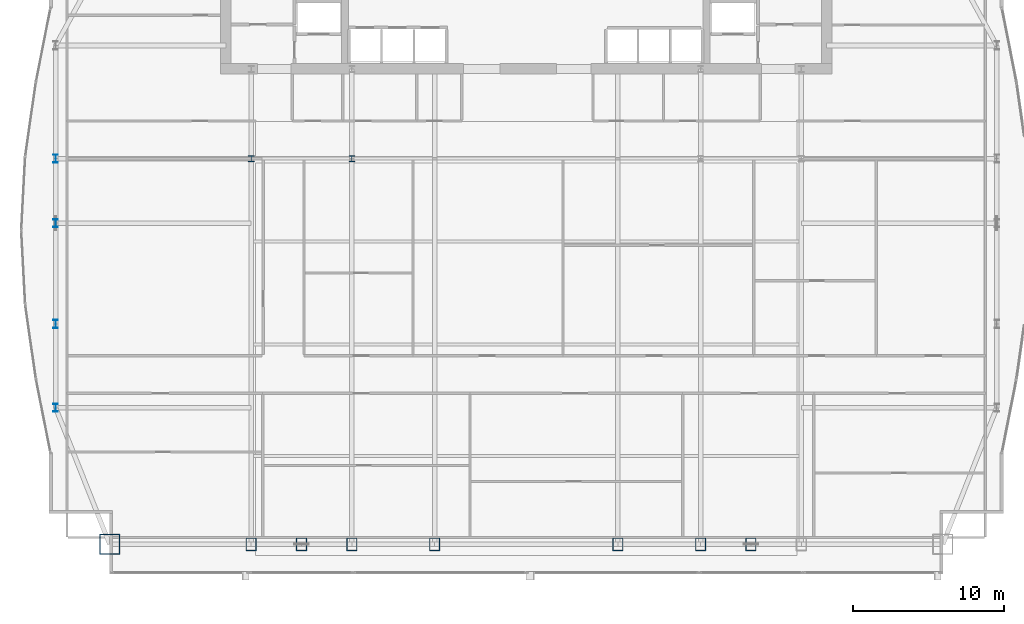
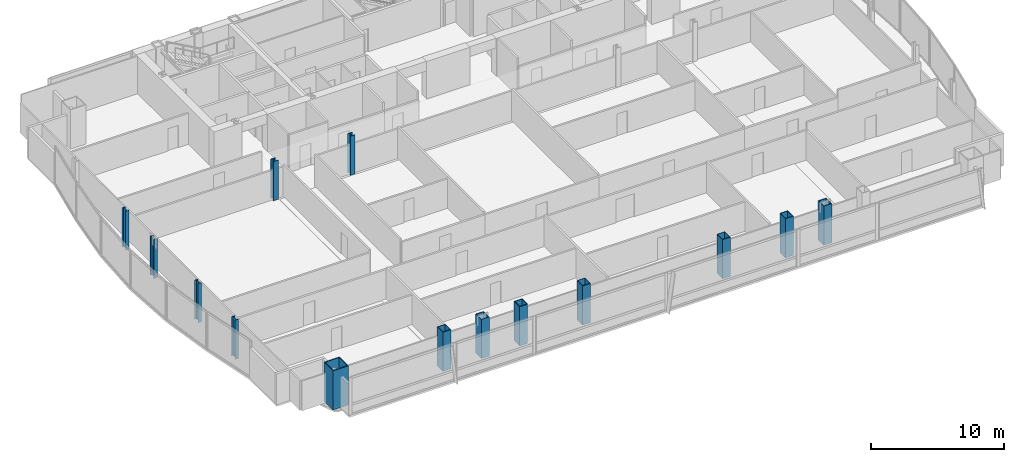
# One storey, part 1 of 29: 14 columns.
"""IFC4 building model written with IfcOpenShell, lengths in metres."""

import ifcopenshell
import ifcopenshell.guid

model = None  # the IFC model being written
_history = None  # IfcOwnerHistory: only IFC2X3 demands one
_inside = {}  # id of a spatial element -> (the spatial element, [elements in it])
_under = {}  # id of a project, library or spatial element -> (it, [spatial elements below it])
_declared = {}  # id of a project -> (the project, [libraries it declares])
_typed = {}  # id of a type object -> (the type object, [elements of that type])
_made_of = {}  # id of a material, layer set ... -> (it, [elements and type objects made of it])


def new_model(schema):
    """Start an empty IFC model of exactly this schema.

    Asked for "IFC4X3", IfcOpenShell would pick the latest addendum, in which some entities
    have other attributes; the version numbers below select the first issue.
    IFC2X3 requires an IfcOwnerHistory on every rooted entity: one is made here for all.
    """
    global model, _history
    if schema == "IFC4X3":
        model = ifcopenshell.file(schema_version=(4, 3, 0, 0))
    else:
        model = ifcopenshell.file(schema=schema)
    _inside.clear()
    _under.clear()
    _declared.clear()
    _typed.clear()
    _made_of.clear()
    _history = None
    if model.schema == "IFC2X3":
        org = make("IfcOrganization", Name="unknown")
        user = make(
            "IfcPersonAndOrganization",
            ThePerson=make("IfcPerson", FamilyName="unknown"),
            TheOrganization=org,
        )
        app = make(
            "IfcApplication",
            ApplicationDeveloper=org,
            Version="unknown",
            ApplicationFullName="unknown",
            ApplicationIdentifier="unknown",
        )
        _history = make(
            "IfcOwnerHistory",
            OwningUser=user,
            OwningApplication=app,
            ChangeAction="ADDED",
            CreationDate=0,
        )
    return model


def make(cls, **values):
    """One entity of the class cls with the attributes given. An attribute that is None is left unset."""
    return model.create_entity(
        cls, **{name: value for name, value in values.items() if value is not None}
    )


def rooted(cls, **values):
    """An entity with a GlobalId (a new one), such as an element, a storey or a relation."""
    return make(cls, GlobalId=ifcopenshell.guid.new(), OwnerHistory=_history, **values)


def si_unit(unit_type, name, prefix=None):
    """IfcSIUnit, for example si_unit("LENGTHUNIT", "METRE", prefix="MILLI")."""
    return make("IfcSIUnit", UnitType=unit_type, Prefix=prefix, Name=name)


def assignment(units):
    """IfcUnitAssignment: the units of a project."""
    return None if units is None else make("IfcUnitAssignment", Units=units)


def point(xyz):
    """IfcCartesianPoint."""
    return None if xyz is None else make("IfcCartesianPoint", Coordinates=xyz)


def direction(xyz):
    """IfcDirection."""
    return None if xyz is None else make("IfcDirection", DirectionRatios=xyz)


def frame(location, z_axis=None, x_axis=None):
    """IfcAxis2Placement3D, a coordinate frame: its origin and axes. An axis left out is left unset."""
    return make(
        "IfcAxis2Placement3D",
        Location=point(location),
        Axis=direction(z_axis),
        RefDirection=direction(x_axis),
    )


def frame_2d(location, x_axis=None):
    """IfcAxis2Placement2D, a coordinate frame in the plane: its origin and x axis."""
    return make(
        "IfcAxis2Placement2D", Location=point(location), RefDirection=direction(x_axis)
    )


def origin():
    """The frame at (0, 0, 0) with its axes left unset."""
    return frame((0.0, 0.0, 0.0))


def origin_2d():
    """The frame at (0, 0) in the plane with its x axis left unset."""
    return frame_2d((0.0, 0.0))


def place(relative_to, where):
    """IfcLocalPlacement: puts the frame where relative to a parent placement (None: the world)."""
    return make(
        "IfcLocalPlacement", PlacementRelTo=relative_to, RelativePlacement=where
    )


def context(
    kind, dimensions, precision=None, world=None, true_north=None, identifier=None
):
    """IfcGeometricRepresentationContext, for example the 3D "Model" context."""
    return make(
        "IfcGeometricRepresentationContext",
        ContextIdentifier=identifier,
        ContextType=kind,
        CoordinateSpaceDimension=dimensions,
        Precision=precision,
        WorldCoordinateSystem=world,
        TrueNorth=true_north,
    )


def subcontext(parent, identifier, kind, view, scale=None):
    """IfcGeometricRepresentationSubContext, for example "Body" below "Model"."""
    return make(
        "IfcGeometricRepresentationSubContext",
        ContextIdentifier=identifier,
        ContextType=kind,
        ParentContext=parent,
        TargetScale=scale,
        TargetView=view,
    )


def project(units=None, contexts=None):
    """IfcProject with its units and contexts."""
    return rooted(
        "IfcProject",
        Name="project",
        RepresentationContexts=contexts,
        UnitsInContext=assignment(units),
    )


def spatial(cls, under=None, at=None, **own):
    """A site, building, storey or space (cls), placed at a placement, below another one or the project."""
    s = rooted(cls, ObjectPlacement=at, **own)
    if under is not None:
        _under.setdefault(under.id(), (under, []))[1].append(s)
    return s


def profile(cls, at=None, kind="AREA", **sizes):
    """A parametric profile (cls). Its sizes go by their IFC names, for example OverallWidth=200.0."""
    return make(cls, ProfileType=kind, Position=at, **sizes)


def hollow_rectangle(**sizes):
    """IfcRectangleHollowProfileDef."""
    return profile("IfcRectangleHollowProfileDef", **sizes)


def i_section(**sizes):
    """IfcIShapeProfileDef."""
    return profile("IfcIShapeProfileDef", **sizes)


def extrude(swept, where, along, depth):
    """IfcExtrudedAreaSolid: the profile swept, set in the frame where, extruded along a direction by depth."""
    return make(
        "IfcExtrudedAreaSolid",
        SweptArea=swept,
        Position=where,
        ExtrudedDirection=direction(along),
        Depth=depth,
    )


def shape(context_of_items, identifier, shape_type, items):
    """IfcShapeRepresentation: the items that make up one representation, for example the "Body"."""
    return make(
        "IfcShapeRepresentation",
        ContextOfItems=context_of_items,
        RepresentationIdentifier=identifier,
        RepresentationType=shape_type,
        Items=items,
    )


def material(Name=None, Category=None):
    """IfcMaterial."""
    return make("IfcMaterial", Name=Name, Category=Category)


def material_profile(
    of_material, cross_section, Name=None, Category=None, Priority=None
):
    """IfcMaterialProfile: a cross section and its material."""
    return make(
        "IfcMaterialProfile",
        Name=Name,
        Material=of_material,
        Profile=cross_section,
        Priority=Priority,
        Category=Category,
    )


def profile_set(profiles, Name=None, composite=None):
    """IfcMaterialProfileSet."""
    return make(
        "IfcMaterialProfileSet",
        Name=Name,
        MaterialProfiles=profiles,
        CompositeProfile=composite,
    )


def made_of(thing, what):
    """Note that an element or type object is made of a material, layer set ...; save() writes the relation."""
    if what is not None:
        _made_of.setdefault(what.id(), (what, []))[1].append(thing)
    return thing


def type_object(cls, material=None, **own):
    """A type object (cls), such as IfcWallType, which elements share."""
    return made_of(rooted(cls, **own), material)


def element(
    cls,
    number,
    at=None,
    inside=None,
    cuts=None,
    type_object=None,
    material=None,
    context=None,
    identifier="Body",
    shape_type=None,
    held_by="IfcProductDefinitionShape",
    body=None,
    shapes=None,
    **own,
):
    """One element of the class cls, such as IfcWall. Its Tag is "e" and its number.

    at: its placement. inside: the storey or other place that contains it. cuts: it is an
    opening in that element (IfcRelVoidsElement). A single representation is given by context,
    identifier, shape_type and body (its items); several are given by shapes. held_by: the class
    of the entity that holds the representations. save() writes the other relations.
    """
    e = rooted(cls, Tag="e%d" % number, ObjectPlacement=at, **own)
    if body is not None:
        shapes = [shape(context, identifier, shape_type, body)]
    if shapes is not None:
        e.Representation = make(held_by, Representations=shapes)
    if inside is not None:
        _inside.setdefault(inside.id(), (inside, []))[1].append(e)
    if cuts is not None:
        rooted(
            "IfcRelVoidsElement", RelatingBuildingElement=cuts, RelatedOpeningElement=e
        )
    if type_object is not None:
        _typed.setdefault(type_object.id(), (type_object, []))[1].append(e)
    return made_of(e, material)


def aggregate(whole, parts):
    """IfcRelAggregates: a whole, such as a stair, and the parts it consists of."""
    return rooted("IfcRelAggregates", RelatingObject=whole, RelatedObjects=parts)


def save(model, path):
    """Write the relations noted so far, then the file.

    IfcRelAggregates (storeys below a building ...), IfcRelContainedInSpatialStructure (elements
    in a storey), IfcRelDefinesByType, IfcRelAssociatesMaterial and IfcRelDeclares: one each for
    every whole, place, type object, material and project.
    """
    for whole, parts in _under.values():
        aggregate(whole, parts)
    for where, things in _inside.values():
        rooted(
            "IfcRelContainedInSpatialStructure",
            RelatedElements=things,
            RelatingStructure=where,
        )
    for kind, things in _typed.values():
        rooted("IfcRelDefinesByType", RelatedObjects=things, RelatingType=kind)
    for what, things in _made_of.values():
        rooted("IfcRelAssociatesMaterial", RelatedObjects=things, RelatingMaterial=what)
    for by, libraries in _declared.values():
        rooted("IfcRelDeclares", RelatingContext=by, RelatedDefinitions=libraries)
    model.write(path)


model = new_model("IFC4")

# Units and contexts
model_context = context("Model", 3, precision=1e-05, world=origin(), true_north=direction((0.0, 1.0)))
body_context = subcontext(model_context, "Body", "Model", "MODEL_VIEW")
ifc_project = project(units=[si_unit("LENGTHUNIT", "METRE"), si_unit("AREAUNIT", "SQUARE_METRE"), si_unit("VOLUMEUNIT", "CUBIC_METRE"), si_unit("PLANEANGLEUNIT", "RADIAN"), si_unit("MASSUNIT", "GRAM", prefix="KILO")], contexts=[model_context])

# Site, building, storey
site_placement = place(None, origin())
site = spatial("IfcSite", under=ifc_project, at=site_placement, CompositionType="ELEMENT")
building_placement = place(site_placement, origin())
building = spatial("IfcBuilding", under=site, at=building_placement, Name="Khoronbel Lancet Exchange", CompositionType="ELEMENT")
storey_placement = place(building_placement, frame((0.0, 0.0, 154.199951171875)))
storey = spatial("IfcBuildingStorey", under=building, at=storey_placement, Name="L38", CompositionType="ELEMENT", Elevation=154.199951171875)

# Columns
ifc_material_1 = material(Name="Steel S460", Category="steel")
ifc_material_profile_1 = material_profile(ifc_material_1, hollow_rectangle(XDim=0.699951171875, YDim=0.85009765625, WallThickness=0.050048828125, at=origin_2d()), Name="BOX 850x700x50")
ifc_profile_set_1 = profile_set([ifc_material_profile_1], Name="Steel S460")
column_type_1 = type_object("IfcColumnType", Name="COL-EC2", PredefinedType="COLUMN", material=ifc_profile_set_1)
for number, where, z_axis, x_axis, name in (
    (1, (18.22509765625, 10.14990234375, 0.0), (0.0, 0.0, 1.0), (1.0, 0.0, 0.0), "Structural column SC-W1 L38"),
    (2, (21.5625, 10.14990234375, 0.0), (0.0, 0.0, 1.0), (1.0, 0.0, 0.0), "Structural column SC-WM L38"),
    (3, (24.89990234375, 10.14990234375, 0.0), (0.0, 0.0, 1.0), (1.0, 0.0, 0.0), "Structural column SC-W2 L38"),
    (4, (30.375, 10.14990234375, 0.0), (0.0, 0.0, 1.0), (1.0, 0.0, 0.0), "Structural column SC-C1 L38"),
    (5, (42.52490234375, 10.14990234375, 0.0), (0.0, 0.0, 1.0), (1.0, 0.0, 0.0), "Structural column SC-C2 L38"),
    (6, (48.0, 10.14990234375, 0.0), (0.0, 0.0, 1.0), (1.0, 0.0, 0.0), "Structural column SC-E1 L38"),
    (7, (51.33740234375, 10.14990234375, 0.0), (0.0, 0.0, 1.0), (1.0, 0.0, 0.0), "Structural column SC-EM L38"),
):
    element("IfcColumn", number, at=place(storey_placement, frame(where, z_axis=z_axis, x_axis=x_axis)), inside=storey, type_object=column_type_1, Name=name, PredefinedType="COLUMN", context=body_context, shape_type="SweptSolid", body=[
        extrude(hollow_rectangle(XDim=0.699951171875, YDim=0.85009765625, WallThickness=0.050048828125, at=origin_2d()), origin(), (0.0, 0.0, 1.0), 3.60009765625),
    ])
ifc_material_profile_2 = material_profile(ifc_material_1, i_section(OverallWidth=0.416015625, OverallDepth=0.446044921875, WebThickness=0.0390625, FlangeThickness=0.062744140625, at=origin_2d()), Name="HD 400x509")
ifc_profile_set_2 = profile_set([ifc_material_profile_2], Name="Steel S460")
column_type_2 = type_object("IfcColumnType", Name="COL-IC2", PredefinedType="COLUMN", material=ifc_profile_set_2)
for number, where, z_axis, x_axis, name in (
    (8, (18.22509765625, 35.699951171875, 0.0), (0.0, 0.0, 1.0), (1.0, 0.0, 0.0), "Spine gravity column TC1 L38"),
    (9, (24.89990234375, 35.699951171875, 0.0), (0.0, 0.0, 1.0), (1.0, 0.0, 0.0), "Spine gravity column TC2 L38"),
):
    element("IfcColumn", number, at=place(storey_placement, frame(where, z_axis=z_axis, x_axis=x_axis)), inside=storey, type_object=column_type_2, Name=name, PredefinedType="COLUMN", context=body_context, shape_type="SweptSolid", body=[
        extrude(i_section(OverallWidth=0.416015625, OverallDepth=0.446044921875, WebThickness=0.0390625, FlangeThickness=0.062744140625, at=origin_2d()), origin(), (0.0, 0.0, 1.0), 3.60009765625),
    ])
ifc_material_2 = material(Name="Steel S355", Category="steel")
ifc_material_profile_3 = material_profile(ifc_material_2, i_section(OverallWidth=0.300048828125, OverallDepth=0.550048828125, WebThickness=0.014892578125, FlangeThickness=0.029052734375, at=origin_2d()), Name="HEB 550")
ifc_profile_set_3 = profile_set([ifc_material_profile_3], Name="Steel S355")
column_type_3 = type_object("IfcColumnType", Name="COL-LC1", PredefinedType="COLUMN", material=ifc_profile_set_3)
for number, where, z_axis, x_axis, name in (
    (10, (5.27001953125, 19.199951171875, 0.0), (0.0, 0.0, 1.0), (1.0, 0.0, 0.0), "Structural column WC-1 L38"),
    (11, (5.27001953125, 24.75, 0.0), (0.0, 0.0, 1.0), (1.0, 0.0, 0.0), "Structural column WC-2 L38"),
    (12, (5.27001953125, 31.425048828125, 0.0), (0.0, 0.0, 1.0), (1.0, 0.0, 0.0), "Structural column WC-M L38"),
    (13, (5.27001953125, 35.699951171875, 0.0), (0.0, 0.0, 1.0), (1.0, 0.0, 0.0), "Structural column WC-3 L38"),
):
    element("IfcColumn", number, at=place(storey_placement, frame(where, z_axis=z_axis, x_axis=x_axis)), inside=storey, type_object=column_type_3, Name=name, PredefinedType="COLUMN", context=body_context, shape_type="SweptSolid", body=[
        extrude(i_section(OverallWidth=0.300048828125, OverallDepth=0.550048828125, WebThickness=0.014892578125, FlangeThickness=0.029052734375, at=origin_2d()), origin(), (0.0, 0.0, 1.0), 3.60009765625),
    ])
ifc_material_profile_4 = material_profile(ifc_material_1, hollow_rectangle(XDim=1.35009765625, YDim=1.35009765625, WallThickness=0.06494140625, at=origin_2d()), Name="BOX 1350x1350x65")
ifc_profile_set_4 = profile_set([ifc_material_profile_4], Name="Steel S460")
column_type_4 = type_object("IfcColumnType", Name="COL-MC4", PredefinedType="COLUMN", material=ifc_profile_set_4)
column_placement = place(storey_placement, frame((8.85009765625, 10.14990234375, 0.0), z_axis=(0.0, 0.0, 1.0), x_axis=(1.0, 0.0, 0.0)))
element("IfcColumn", 14, at=column_placement, inside=storey, type_object=column_type_4, Name="Structural column MC-SW L38", PredefinedType="COLUMN", context=body_context, shape_type="SweptSolid", body=[
    extrude(hollow_rectangle(XDim=1.35009765625, YDim=1.35009765625, WallThickness=0.06494140625, at=origin_2d()), origin(), (0.0, 0.0, 1.0), 3.60009765625),
])

save(model, "model.ifc")
